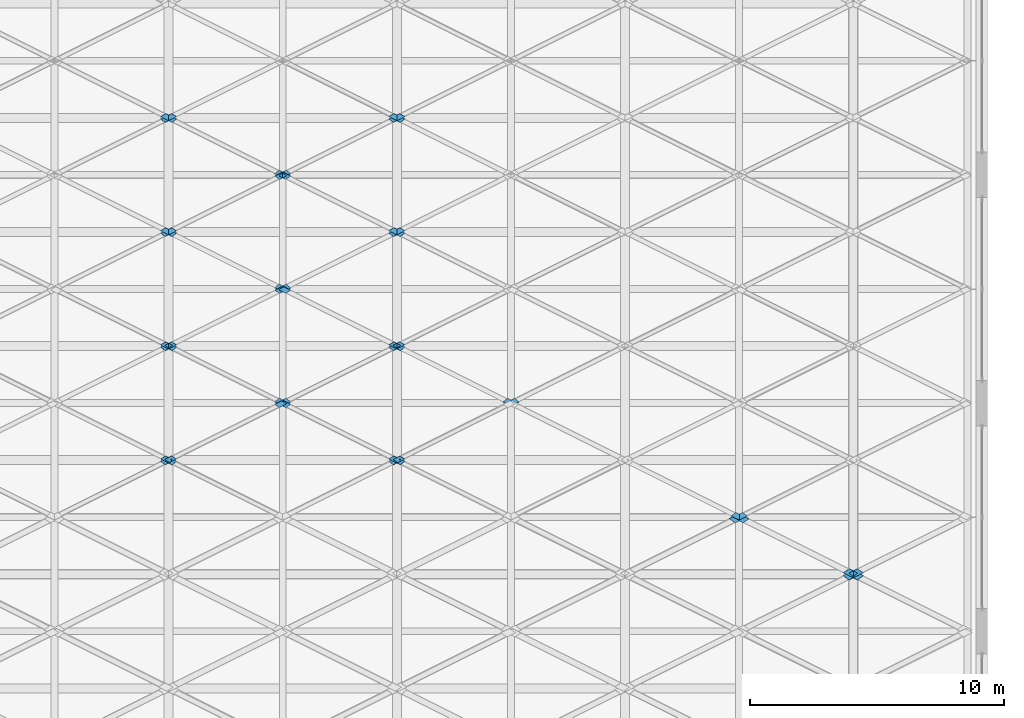
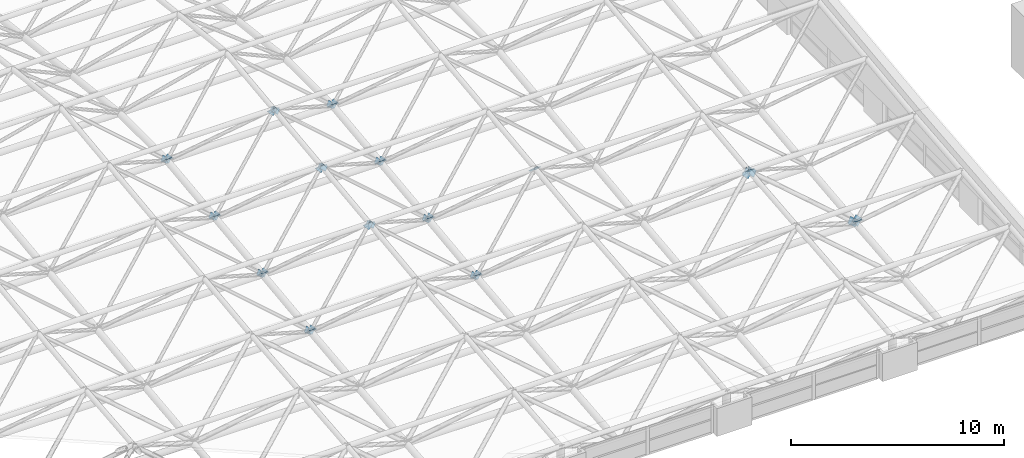
# One storey, part 45 of 53: 54 discrete accessories.
"""IFC4 building model written with IfcOpenShell, lengths in metres."""

from ifc_helpers import new_model, si_unit, direction, frame, origin, place, context, subcontext, project, spatial, polyline, outline, extrude, material, layer, layer_set, type_object, element, save


model = new_model("IFC4")

# Units and contexts
model_context = context("Model", 3, precision=1e-05, world=origin(), true_north=direction((0.0, 1.0)))
body_context = subcontext(model_context, "Body", "Model", "MODEL_VIEW")
ifc_project = project(units=[si_unit("LENGTHUNIT", "METRE"), si_unit("AREAUNIT", "SQUARE_METRE"), si_unit("VOLUMEUNIT", "CUBIC_METRE"), si_unit("PLANEANGLEUNIT", "RADIAN"), si_unit("MASSUNIT", "GRAM", prefix="KILO")], contexts=[model_context])

# Site, building, storey
site_placement = place(None, origin())
site = spatial("IfcSite", under=ifc_project, at=site_placement, CompositionType="ELEMENT")
building_placement = place(site_placement, origin())
building = spatial("IfcBuilding", under=site, at=building_placement, Name="Aravalli Gate Trade Fair Centre", CompositionType="ELEMENT")
storey_placement = place(building_placement, frame((0.0, 0.0, 25.199951171875)))
storey = spatial("IfcBuildingStorey", under=building, at=storey_placement, Name="ROOF LEVEL 2", CompositionType="ELEMENT", Elevation=25.199951171875)

# Discrete accessories
ifc_material = material(Name="Steel E350", Category="steel")
ifc_layer_1 = layer(ifc_material, 0.011962890625)
ifc_layer_set_1 = layer_set([ifc_layer_1], Name="Steel E350")
discrete_accessory_type_1 = type_object("IfcDiscreteAccessoryType", Name="Gusset plate 291 x 291 x 12", PredefinedType="USERDEFINED", material=ifc_layer_set_1)
for number, where, z_axis, x_axis, name in (
    (1, (73.181884765625, 61.713134765625, 0.479248046875), (0.000260921892, 0.770886805608, 0.636972106814), (0.786233024012, 0.393446097564, -0.476484837392), "Gusset plate Space frame web diagonal D2A end B"),
    (2, (82.181884765625, 61.713134765625, 0.479248046875), (0.000260921892, 0.770886805608, 0.636972106814), (0.786233024012, 0.393446097564, -0.476484837392), "Gusset plate Space frame web diagonal D2A end B"),
):
    element("IfcDiscreteAccessory", number, at=place(storey_placement, frame(where, z_axis=z_axis, x_axis=x_axis)), inside=storey, type_object=discrete_accessory_type_1, Name=name, ObjectType="GUSSET PLATE", PredefinedType="USERDEFINED", context=body_context, shape_type="SweptSolid", body=[
        extrude(outline(polyline([(0.0, 0.0), (0.3704496717105797, -1.3877787807814457e-17), (0.37041105616888137, -0.29044341854454775), (-0.00023056696357631745, -0.2902925567125407), (0.0, 0.0)])), origin(), (0.0, 0.0, -1.0), 0.011962890625),
    ])
discrete_accessory_1_placement = place(storey_placement, frame((96.138916015625, 59.691650390625, 2.92724609375), z_axis=(-6.9765199e-05, 0.771154883137, 0.636647580178), x_axis=(-0.786484474244, -0.393242254842, 0.476238071536)))
element("IfcDiscreteAccessory", 3, at=discrete_accessory_1_placement, inside=storey, type_object=discrete_accessory_type_1, Name="Gusset plate Space frame web diagonal D2A end A", ObjectType="GUSSET PLATE", PredefinedType="USERDEFINED", context=body_context, shape_type="SweptSolid", body=[
    extrude(outline(polyline([(0.0, 0.0), (0.37064165383501635, -1.3877787807814457e-17), (0.3706783195979393, 0.29059144692340316), (0.00022867857401766278, 0.2904406632211646), (0.0, 0.0)])), origin(), (0.0, 0.0, -1.0), 0.011962890625),
])
discrete_accessory_2_placement = place(storey_placement, frame((73.181884765625, 66.213134765625, 1.029052734375), z_axis=(-6.9765199e-05, 0.771154883137, 0.636647580178), x_axis=(0.786233023991, 0.393446013556, -0.476484906794)))
element("IfcDiscreteAccessory", 4, at=discrete_accessory_2_placement, inside=storey, type_object=discrete_accessory_type_1, Name="Gusset plate Space frame web diagonal D2A end B", ObjectType="GUSSET PLATE", PredefinedType="USERDEFINED", context=body_context, shape_type="SweptSolid", body=[
    extrude(outline(polyline([(0.0, 0.0), (0.37044967171058096, -2.7755575615628914e-17), (0.3702947268495056, -0.290591407927876), (-0.0003468962829482891, -0.29044054608337494), (0.0, 0.0)])), origin(), (0.0, 0.0, -1.0), 0.011962890625),
])
discrete_accessory_3_placement = place(storey_placement, frame((78.138916015625, 64.191650390625, 3.477294921875), z_axis=(-6.9765199e-05, 0.771154883137, 0.636647580178), x_axis=(-0.786484474244, -0.393242254842, 0.476238071536)))
element("IfcDiscreteAccessory", 5, at=discrete_accessory_3_placement, inside=storey, type_object=discrete_accessory_type_1, Name="Gusset plate Space frame web diagonal D2A end A", ObjectType="GUSSET PLATE", PredefinedType="USERDEFINED", context=body_context, shape_type="SweptSolid", body=[
    extrude(outline(polyline([(0.0, 0.0), (0.37064165383501635, -1.3877787807814457e-17), (0.3706783195979393, 0.29059144692340316), (0.00022867857401766278, 0.2904406632211646), (0.0, 0.0)])), origin(), (0.0, 0.0, -1.0), 0.011962890625),
])
discrete_accessory_4_placement = place(storey_placement, frame((82.181884765625, 66.213134765625, 1.029052734375), z_axis=(-6.9765199e-05, 0.771154883137, 0.636647580178), x_axis=(0.786233023991, 0.393446013556, -0.476484906794)))
element("IfcDiscreteAccessory", 6, at=discrete_accessory_4_placement, inside=storey, type_object=discrete_accessory_type_1, Name="Gusset plate Space frame web diagonal D2A end B", ObjectType="GUSSET PLATE", PredefinedType="USERDEFINED", context=body_context, shape_type="SweptSolid", body=[
    extrude(outline(polyline([(0.0, 0.0), (0.37044967171058096, -2.7755575615628914e-17), (0.3702947268495056, -0.290591407927876), (-0.0003468962829482891, -0.29044054608337494), (0.0, 0.0)])), origin(), (0.0, 0.0, -1.0), 0.011962890625),
])
discrete_accessory_5_placement = place(storey_placement, frame((87.138916015625, 64.191650390625, 3.477294921875), z_axis=(-6.9765199e-05, 0.771154883137, 0.636647580178), x_axis=(-0.786484474244, -0.393242254842, 0.476238071536)))
element("IfcDiscreteAccessory", 7, at=discrete_accessory_5_placement, inside=storey, type_object=discrete_accessory_type_1, Name="Gusset plate Space frame web diagonal D2A end A", ObjectType="GUSSET PLATE", PredefinedType="USERDEFINED", context=body_context, shape_type="SweptSolid", body=[
    extrude(outline(polyline([(0.0, 0.0), (0.37064165383501635, -1.3877787807814457e-17), (0.3706783195979393, 0.29059144692340316), (0.00022867857401766278, 0.2904406632211646), (0.0, 0.0)])), origin(), (0.0, 0.0, -1.0), 0.011962890625),
])
for number, where, z_axis, x_axis, name in (
    (8, (73.638916015625, 61.567626953125, 0.6552734375), (-0.000260921892, 0.770886805608, 0.636972106814), (-0.786484474223, 0.393242170877, -0.476238140902), "Gusset plate Space frame web diagonal D2B end B"),
    (9, (82.638916015625, 61.567626953125, 0.6552734375), (-0.000260921892, 0.770886805608, 0.636972106814), (-0.786484474223, 0.393242170877, -0.476238140902), "Gusset plate Space frame web diagonal D2B end B"),
):
    element("IfcDiscreteAccessory", number, at=place(storey_placement, frame(where, z_axis=z_axis, x_axis=x_axis)), inside=storey, type_object=discrete_accessory_type_1, Name=name, ObjectType="GUSSET PLATE", PredefinedType="USERDEFINED", context=body_context, shape_type="SweptSolid", body=[
        extrude(outline(polyline([(0.0, 0.0), (0.37064165383501513, 1.3877787807814457e-17), (0.37056205053393565, -0.29044341020294784), (0.00011240951001027788, -0.2902926265131968), (0.0, 0.0)])), origin(), (0.0, 0.0, -1.0), 0.011962890625),
    ])
for number, where, z_axis, x_axis, name in (
    (10, (95.681884765625, 59.546142578125, 3.103515625), (6.9765199e-05, 0.771154883137, 0.636647580178), (0.786233023991, -0.393446013556, 0.476484906794), "Gusset plate Space frame web diagonal D2B end A"),
    (11, (77.681884765625, 64.046142578125, 3.653564453125), (6.9765199e-05, 0.771154883137, 0.636647580178), (0.786233023991, -0.393446013556, 0.476484906794), "Gusset plate Space frame web diagonal D2B end A"),
):
    element("IfcDiscreteAccessory", number, at=place(storey_placement, frame(where, z_axis=z_axis, x_axis=x_axis)), inside=storey, type_object=discrete_accessory_type_1, Name=name, ObjectType="GUSSET PLATE", PredefinedType="USERDEFINED", context=body_context, shape_type="SweptSolid", body=[
        extrude(outline(polyline([(0.0, 0.0), (0.37044967171058096, 2.7755575615628914e-17), (0.3702947268495056, 0.290591407927876), (-0.0003468962829482891, 0.29044054608337494), (0.0, 0.0)])), origin(), (0.0, 0.0, -1.0), 0.011962890625),
    ])
discrete_accessory_6_placement = place(storey_placement, frame((73.638916015625, 66.067626953125, 1.205322265625), z_axis=(6.9765199e-05, 0.771154883137, 0.636647580178), x_axis=(-0.786484474244, 0.393242254842, -0.476238071536)))
element("IfcDiscreteAccessory", 12, at=discrete_accessory_6_placement, inside=storey, type_object=discrete_accessory_type_1, Name="Gusset plate Space frame web diagonal D2B end B", ObjectType="GUSSET PLATE", PredefinedType="USERDEFINED", context=body_context, shape_type="SweptSolid", body=[
    extrude(outline(polyline([(0.0, 0.0), (0.37064165383501635, 1.3877787807814457e-17), (0.3706783195979393, -0.29059144692340316), (0.00022867857401766278, -0.2904406632211646), (0.0, 0.0)])), origin(), (0.0, 0.0, -1.0), 0.011962890625),
])
discrete_accessory_7_placement = place(storey_placement, frame((86.681884765625, 64.046142578125, 3.653564453125), z_axis=(6.9765199e-05, 0.771154883137, 0.636647580178), x_axis=(0.786233023991, -0.393446013556, 0.476484906794)))
element("IfcDiscreteAccessory", 13, at=discrete_accessory_7_placement, inside=storey, type_object=discrete_accessory_type_1, Name="Gusset plate Space frame web diagonal D2B end A", ObjectType="GUSSET PLATE", PredefinedType="USERDEFINED", context=body_context, shape_type="SweptSolid", body=[
    extrude(outline(polyline([(0.0, 0.0), (0.37044967171058096, 2.7755575615628914e-17), (0.3702947268495056, 0.290591407927876), (-0.0003468962829482891, 0.29044054608337494), (0.0, 0.0)])), origin(), (0.0, 0.0, -1.0), 0.011962890625),
])
discrete_accessory_8_placement = place(storey_placement, frame((82.638916015625, 66.067626953125, 1.205322265625), z_axis=(6.9765199e-05, 0.771154883137, 0.636647580178), x_axis=(-0.786484474244, 0.393242254842, -0.476238071536)))
element("IfcDiscreteAccessory", 14, at=discrete_accessory_8_placement, inside=storey, type_object=discrete_accessory_type_1, Name="Gusset plate Space frame web diagonal D2B end B", ObjectType="GUSSET PLATE", PredefinedType="USERDEFINED", context=body_context, shape_type="SweptSolid", body=[
    extrude(outline(polyline([(0.0, 0.0), (0.37064165383501635, 1.3877787807814457e-17), (0.3706783195979393, -0.29059144692340316), (0.00022867857401766278, -0.2904406632211646), (0.0, 0.0)])), origin(), (0.0, 0.0, -1.0), 0.011962890625),
])
discrete_accessory_9_placement = place(storey_placement, frame((73.18603515625, 61.792236328125, 0.4970703125), z_axis=(-0.000338926475, -0.824215745649, 0.566275807141), x_axis=(0.749929468437, -0.374811008577, -0.545089442403)))
element("IfcDiscreteAccessory", 15, at=discrete_accessory_9_placement, inside=storey, type_object=discrete_accessory_type_1, Name="Gusset plate Space frame web diagonal D2C end B", ObjectType="GUSSET PLATE", PredefinedType="USERDEFINED", context=body_context, shape_type="SweptSolid", body=[
    extrude(outline(polyline([(0.0, 0.0), (0.3704775800363668, 1.3877787807814457e-17), (0.37054452148215117, 0.29037536695413646), (0.00011695121776518491, 0.29068780553250784), (0.0, 0.0)])), origin(), (0.0, 0.0, -1.0), 0.011962890625),
])
discrete_accessory_10_placement = place(storey_placement, frame((78.12158203125, 63.824462890625, 3.455078125), z_axis=(-5.9235462e-05, -0.824355565608, 0.566072343383), x_axis=(-0.74910175115, 0.37503400761, 0.546073309694)))
element("IfcDiscreteAccessory", 16, at=discrete_accessory_10_placement, inside=storey, type_object=discrete_accessory_type_1, Name="Gusset plate Space frame web diagonal D2C end A", ObjectType="GUSSET PLATE", PredefinedType="USERDEFINED", context=body_context, shape_type="SweptSolid", body=[
    extrude(outline(polyline([(0.0, 0.0), (0.37056099002046733, -1.3877787807814457e-17), (0.3708571273038952, -0.29037522366126584), (0.00024656979283793623, -0.29068772448272373), (0.0, 0.0)])), origin(), (0.0, 0.0, -1.0), 0.011962890625),
])
discrete_accessory_11_placement = place(storey_placement, frame((82.18603515625, 61.792236328125, 0.4970703125), z_axis=(-0.000338926475, -0.824215745649, 0.566275807141), x_axis=(0.749929468437, -0.374811008577, -0.545089442403)))
element("IfcDiscreteAccessory", 17, at=discrete_accessory_11_placement, inside=storey, type_object=discrete_accessory_type_1, Name="Gusset plate Space frame web diagonal D2C end B", ObjectType="GUSSET PLATE", PredefinedType="USERDEFINED", context=body_context, shape_type="SweptSolid", body=[
    extrude(outline(polyline([(0.0, 0.0), (0.3704775800363668, 1.3877787807814457e-17), (0.37054452148215117, 0.29037536695413646), (0.00011695121776518491, 0.29068780553250784), (0.0, 0.0)])), origin(), (0.0, 0.0, -1.0), 0.011962890625),
])
discrete_accessory_12_placement = place(storey_placement, frame((73.18603515625, 66.292236328125, 1.047119140625), z_axis=(-0.000356491483, -0.824386555112, 0.566027102411), x_axis=(0.749660046124, -0.374830119882, -0.545446786108)))
element("IfcDiscreteAccessory", 18, at=discrete_accessory_12_placement, inside=storey, type_object=discrete_accessory_type_1, Name="Gusset plate Space frame web diagonal D2C end B", ObjectType="GUSSET PLATE", PredefinedType="USERDEFINED", context=body_context, shape_type="SweptSolid", body=[
    extrude(outline(polyline([(0.0, 0.0), (0.37061069570280314, 0.0), (0.3704262257769532, 0.2905262593825685), (-1.4474536517566916e-06, 0.29068783726431885), (0.0, 0.0)])), origin(), (0.0, 0.0, -1.0), 0.011962890625),
])
discrete_accessory_13_placement = place(storey_placement, frame((78.12158203125, 68.324462890625, 4.005126953125), z_axis=(-5.9235462e-05, -0.824355565608, 0.566072343383), x_axis=(-0.74937131646, 0.374861397834, 0.545821914622)))
element("IfcDiscreteAccessory", 19, at=discrete_accessory_13_placement, inside=storey, type_object=discrete_accessory_type_1, Name="Gusset plate Space frame web diagonal D2C end A", ObjectType="GUSSET PLATE", PredefinedType="USERDEFINED", context=body_context, shape_type="SweptSolid", body=[
    extrude(outline(polyline([(0.0, 0.0), (0.3704277020236978, 0.0), (0.37073891027907924, -0.290526143046557), (-5.001029550574798e-06, -0.29053697785674903), (0.0, 0.0)])), origin(), (0.0, 0.0, -1.0), 0.011962890625),
])
discrete_accessory_14_placement = place(storey_placement, frame((82.18603515625, 66.292236328125, 1.047119140625), z_axis=(-0.000356491483, -0.824386555112, 0.566027102411), x_axis=(0.749660046124, -0.374830119882, -0.545446786108)))
element("IfcDiscreteAccessory", 20, at=discrete_accessory_14_placement, inside=storey, type_object=discrete_accessory_type_1, Name="Gusset plate Space frame web diagonal D2C end B", ObjectType="GUSSET PLATE", PredefinedType="USERDEFINED", context=body_context, shape_type="SweptSolid", body=[
    extrude(outline(polyline([(0.0, 0.0), (0.37061069570280314, 0.0), (0.3704262257769532, 0.2905262593825685), (-1.4474536517566916e-06, 0.29068783726431885), (0.0, 0.0)])), origin(), (0.0, 0.0, -1.0), 0.011962890625),
])
discrete_accessory_15_placement = place(storey_placement, frame((77.68603515625, 63.94775390625, 3.634765625), z_axis=(5.9235462e-05, -0.824355565608, 0.566072343383), x_axis=(0.749660070237, 0.374676343996, 0.545552395598)))
element("IfcDiscreteAccessory", 21, at=discrete_accessory_15_placement, inside=storey, type_object=discrete_accessory_type_1, Name="Gusset plate Space frame web diagonal D2D end A", ObjectType="GUSSET PLATE", PredefinedType="USERDEFINED", context=body_context, shape_type="SweptSolid", body=[
    extrude(outline(polyline([(0.0, 0.0), (0.3706106892622231, -1.3877787807814457e-17), (0.3705593979521325, -0.2903753701380719), (-1.4603348369723879e-06, -0.29068782905287593), (0.0, 0.0)])), origin(), (0.0, 0.0, -1.0), 0.011962890625),
])
for number, where, z_axis, x_axis, name in (
    (22, (73.62158203125, 61.91552734375, 0.6767578125), (0.000338926475, -0.824215745649, 0.566275807141), (-0.74937124219, -0.375168906268, -0.545610697428), "Gusset plate Space frame web diagonal D2D end B"),
    (23, (82.62158203125, 61.91552734375, 0.6767578125), (0.000338926475, -0.824215745649, 0.566275807141), (-0.74937124219, -0.375168906268, -0.545610697428), "Gusset plate Space frame web diagonal D2D end B"),
):
    element("IfcDiscreteAccessory", number, at=place(storey_placement, frame(where, z_axis=z_axis, x_axis=x_axis)), inside=storey, type_object=discrete_accessory_type_1, Name=name, ObjectType="GUSSET PLATE", PredefinedType="USERDEFINED", context=body_context, shape_type="SweptSolid", body=[
        extrude(outline(polyline([(0.0, 0.0), (0.3704277020281311, 2.7755575615628914e-17), (0.37060567875441897, 0.29037532012757467), (0.00012823049953920862, 0.29068780077573153), (0.0, 0.0)])), origin(), (0.0, 0.0, -1.0), 0.011962890625),
    ])
discrete_accessory_16_placement = place(storey_placement, frame((77.68603515625, 68.44775390625, 4.1845703125), z_axis=(5.9235462e-05, -0.824355565608, 0.566072343383), x_axis=(0.749390667151, 0.374849001628, 0.545803860343)))
element("IfcDiscreteAccessory", 24, at=discrete_accessory_16_placement, inside=storey, type_object=discrete_accessory_type_1, Name="Gusset plate Space frame web diagonal D2D end A", ObjectType="GUSSET PLATE", PredefinedType="USERDEFINED", context=body_context, shape_type="SweptSolid", body=[
    extrude(outline(polyline([(0.0, 0.0), (0.37074391146695085, 0.0), (0.3704411936966931, -0.2905261520174016), (1.3491831181253189e-05, -0.2905369775865267), (0.0, 0.0)])), origin(), (0.0, 0.0, -1.0), 0.011962890625),
])
for number, where, z_axis, x_axis, name in (
    (25, (73.62158203125, 66.41552734375, 1.226806640625), (0.000356491483, -0.824386555112, 0.566027102411), (-0.749371292409, -0.375015088164, -0.54571636384), "Gusset plate Space frame web diagonal D2D end B"),
    (26, (82.62158203125, 66.41552734375, 1.226806640625), (0.000356491483, -0.824386555112, 0.566027102411), (-0.749371292409, -0.375015088164, -0.54571636384), "Gusset plate Space frame web diagonal D2D end B"),
):
    element("IfcDiscreteAccessory", number, at=place(storey_placement, frame(where, z_axis=z_axis, x_axis=x_axis)), inside=storey, type_object=discrete_accessory_type_1, Name=name, ObjectType="GUSSET PLATE", PredefinedType="USERDEFINED", context=body_context, shape_type="SweptSolid", body=[
        extrude(outline(polyline([(0.0, 0.0), (0.3704277084701571, 1.3877787807814457e-17), (0.3707389038272042, 0.29052615127976134), (0.00012824338136119273, 0.2906878089792164), (0.0, 0.0)])), origin(), (0.0, 0.0, -1.0), 0.011962890625),
    ])
discrete_accessory_17_placement = place(storey_placement, frame((73.181884765625, 70.713134765625, 1.574462890625), z_axis=(0.000589123978, 0.771792295466, 0.635874441689), x_axis=(0.785942550469, 0.392803472142, -0.477493182816)))
element("IfcDiscreteAccessory", 27, at=discrete_accessory_17_placement, inside=storey, type_object=discrete_accessory_type_1, Name="Gusset plate Space frame web diagonal D3A end B", ObjectType="GUSSET PLATE", PredefinedType="USERDEFINED", context=body_context, shape_type="SweptSolid", body=[
    extrude(outline(polyline([(0.0, 0.0), (0.3705866429803553, -2.7755575615628914e-17), (0.37039124031354775, -0.29046920151748473), (-7.882718272163303e-05, -0.29032116611826925), (0.0, 0.0)])), origin(), (0.0, 0.0, -1.0), 0.011962890625),
])
discrete_accessory_18_placement = place(storey_placement, frame((78.138671875, 68.69140625, 4.027099609375), z_axis=(0.000259688153, 0.77158167438, 0.636130216483), x_axis=(-0.786189750281, -0.392961505637, 0.476955901148)))
element("IfcDiscreteAccessory", 28, at=discrete_accessory_18_placement, inside=storey, type_object=discrete_accessory_type_1, Name="Gusset plate Space frame web diagonal D3A end A", ObjectType="GUSSET PLATE", PredefinedType="USERDEFINED", context=body_context, shape_type="SweptSolid", body=[
    extrude(outline(polyline([(0.0, 0.0), (0.37047009323158403, -1.3877787807814457e-17), (0.3706453255393415, 0.29059138113822636), (7.929444017017173e-05, 0.29046925152010133), (0.0, 0.0)])), origin(), (0.0, 0.0, -1.0), 0.011962890625),
])
discrete_accessory_19_placement = place(storey_placement, frame((82.181884765625, 70.713134765625, 1.574462890625), z_axis=(0.000589123978, 0.771792295466, 0.635874441689), x_axis=(0.785942550469, 0.392803472142, -0.477493182816)))
element("IfcDiscreteAccessory", 29, at=discrete_accessory_19_placement, inside=storey, type_object=discrete_accessory_type_1, Name="Gusset plate Space frame web diagonal D3A end B", ObjectType="GUSSET PLATE", PredefinedType="USERDEFINED", context=body_context, shape_type="SweptSolid", body=[
    extrude(outline(polyline([(0.0, 0.0), (0.3705866429803553, -2.7755575615628914e-17), (0.37039124031354775, -0.29046920151748473), (-7.882718272163303e-05, -0.29032116611826925), (0.0, 0.0)])), origin(), (0.0, 0.0, -1.0), 0.011962890625),
])
discrete_accessory_20_placement = place(storey_placement, frame((73.181884765625, 75.213134765625, 2.1142578125), z_axis=(0.000259222443, 0.771843687699, 0.635812279342), x_axis=(0.78618965885, 0.392765328311, -0.477117613586)))
element("IfcDiscreteAccessory", 30, at=discrete_accessory_20_placement, inside=storey, type_object=discrete_accessory_type_1, Name="Gusset plate Space frame web diagonal D3A end B", ObjectType="GUSSET PLATE", PredefinedType="USERDEFINED", context=body_context, shape_type="SweptSolid", body=[
    extrude(outline(polyline([(0.0, 0.0), (0.3704701052045229, -2.7755575615628914e-17), (0.3703907868210381, -0.2904692667840814), (-7.931838348480824e-05, -0.2904692667840814), (0.0, 0.0)])), origin(), (0.0, 0.0, -1.0), 0.011962890625),
])
discrete_accessory_21_placement = place(storey_placement, frame((78.138671875, 73.19140625, 4.567138671875), z_axis=(0.000259688153, 0.77158167438, 0.636130216483), x_axis=(-0.786189750281, -0.392961505637, 0.476955901148)))
element("IfcDiscreteAccessory", 31, at=discrete_accessory_21_placement, inside=storey, type_object=discrete_accessory_type_1, Name="Gusset plate Space frame web diagonal D3A end A", ObjectType="GUSSET PLATE", PredefinedType="USERDEFINED", context=body_context, shape_type="SweptSolid", body=[
    extrude(outline(polyline([(0.0, 0.0), (0.37047009323158403, -1.3877787807814457e-17), (0.3706453255393415, 0.29059138113822636), (7.929444017017173e-05, 0.29046925152010133), (0.0, 0.0)])), origin(), (0.0, 0.0, -1.0), 0.011962890625),
])
discrete_accessory_22_placement = place(storey_placement, frame((82.181884765625, 75.213134765625, 2.1142578125), z_axis=(0.000259222443, 0.771843687699, 0.635812279342), x_axis=(0.78618965885, 0.392765328311, -0.477117613586)))
element("IfcDiscreteAccessory", 32, at=discrete_accessory_22_placement, inside=storey, type_object=discrete_accessory_type_1, Name="Gusset plate Space frame web diagonal D3A end B", ObjectType="GUSSET PLATE", PredefinedType="USERDEFINED", context=body_context, shape_type="SweptSolid", body=[
    extrude(outline(polyline([(0.0, 0.0), (0.3704701052045229, -2.7755575615628914e-17), (0.3703907868210381, -0.2904692667840814), (-7.931838348480824e-05, -0.2904692667840814), (0.0, 0.0)])), origin(), (0.0, 0.0, -1.0), 0.011962890625),
])
discrete_accessory_23_placement = place(storey_placement, frame((77.681884765625, 68.546142578125, 4.203369140625), z_axis=(-0.000259688153, 0.77158167438, 0.636130216483), x_axis=(0.785986034617, -0.393126352276, 0.477155765483)))
element("IfcDiscreteAccessory", 33, at=discrete_accessory_23_placement, inside=storey, type_object=discrete_accessory_type_1, Name="Gusset plate Space frame web diagonal D3B end A", ObjectType="GUSSET PLATE", PredefinedType="USERDEFINED", context=body_context, shape_type="SweptSolid", body=[
    extrude(outline(polyline([(0.0, 0.0), (0.3705660512246577, 1.3877787807814457e-17), (0.3702950470274762, 0.2905913076038385), (-0.0001750260838329909, 0.2904692096111498), (0.0, 0.0)])), origin(), (0.0, 0.0, -1.0), 0.011962890625),
])
for number, where, z_axis, x_axis, name in (
    (34, (73.638671875, 70.56787109375, 1.75048828125), (-0.000589123978, 0.771792295466, 0.635874441689), (-0.786189552673, 0.392603629975, -0.477250853324), "Gusset plate Space frame web diagonal D3B end B"),
    (35, (82.638671875, 70.56787109375, 1.75048828125), (-0.000589123978, 0.771792295466, 0.635874441689), (-0.786189552673, 0.392603629975, -0.477250853324), "Gusset plate Space frame web diagonal D3B end B"),
):
    element("IfcDiscreteAccessory", number, at=place(storey_placement, frame(where, z_axis=z_axis, x_axis=x_axis)), inside=storey, type_object=discrete_accessory_type_1, Name=name, ObjectType="GUSSET PLATE", PredefinedType="USERDEFINED", context=body_context, shape_type="SweptSolid", body=[
        extrude(outline(polyline([(0.0, 0.0), (0.3704700970728539, 1.3877787807814457e-17), (0.37054943172141785, -0.29046925640835186), (-3.7181673048419794e-05, -0.2903211744387922), (0.0, 0.0)])), origin(), (0.0, 0.0, -1.0), 0.011962890625),
    ])
discrete_accessory_24_placement = place(storey_placement, frame((77.681884765625, 73.046142578125, 4.743408203125), z_axis=(-0.000259688153, 0.77158167438, 0.636130216483), x_axis=(0.785986034617, -0.393126352276, 0.477155765483)))
element("IfcDiscreteAccessory", 36, at=discrete_accessory_24_placement, inside=storey, type_object=discrete_accessory_type_1, Name="Gusset plate Space frame web diagonal D3B end A", ObjectType="GUSSET PLATE", PredefinedType="USERDEFINED", context=body_context, shape_type="SweptSolid", body=[
    extrude(outline(polyline([(0.0, 0.0), (0.3705660512246577, 1.3877787807814457e-17), (0.3702950470274762, 0.2905913076038385), (-0.0001750260838329909, 0.2904692096111498), (0.0, 0.0)])), origin(), (0.0, 0.0, -1.0), 0.011962890625),
])
for number, where, z_axis, x_axis, name in (
    (37, (73.638671875, 75.06787109375, 2.29052734375), (-0.000259222443, 0.771843687699, 0.635812279342), (-0.78618965885, 0.392765328311, -0.477117613586), "Gusset plate Space frame web diagonal D3B end B"),
    (38, (82.638671875, 75.06787109375, 2.29052734375), (-0.000259222443, 0.771843687699, 0.635812279342), (-0.78618965885, 0.392765328311, -0.477117613586), "Gusset plate Space frame web diagonal D3B end B"),
):
    element("IfcDiscreteAccessory", number, at=place(storey_placement, frame(where, z_axis=z_axis, x_axis=x_axis)), inside=storey, type_object=discrete_accessory_type_1, Name=name, ObjectType="GUSSET PLATE", PredefinedType="USERDEFINED", context=body_context, shape_type="SweptSolid", body=[
        extrude(outline(polyline([(0.0, 0.0), (0.3704701052045229, 2.7755575615628914e-17), (0.3705494235880077, -0.29046926678408136), (7.931838348480824e-05, -0.2904692667840814), (0.0, 0.0)])), origin(), (0.0, 0.0, -1.0), 0.011962890625),
    ])
discrete_accessory_25_placement = place(storey_placement, frame((73.18603515625, 70.792236328125, 1.592041015625), z_axis=(0.000136804439, -0.823750482353, 0.566952488404), x_axis=(0.749929392198, -0.374964696099, -0.54498383774)))
element("IfcDiscreteAccessory", 39, at=discrete_accessory_25_placement, inside=storey, type_object=discrete_accessory_type_1, Name="Gusset plate Space frame web diagonal D3C end B", ObjectType="GUSSET PLATE", PredefinedType="USERDEFINED", context=body_context, shape_type="SweptSolid", body=[
    extrude(outline(polyline([(0.0, 0.0), (0.37047758647752815, -1.3877787807814457e-17), (0.37045297092456764, 0.2904791260615137), (-2.461555296055795e-05, 0.2904791260615137), (0.0, 0.0)])), origin(), (0.0, 0.0, -1.0), 0.011962890625),
])
discrete_accessory_26_placement = place(storey_placement, frame((78.121826171875, 72.824462890625, 4.54541015625), z_axis=(0.000136804439, -0.823750482353, 0.566952488404), x_axis=(-0.749929392198, 0.374964696099, 0.54498383774)))
element("IfcDiscreteAccessory", 40, at=discrete_accessory_26_placement, inside=storey, type_object=discrete_accessory_type_1, Name="Gusset plate Space frame web diagonal D3C end A", ObjectType="GUSSET PLATE", PredefinedType="USERDEFINED", context=body_context, shape_type="SweptSolid", body=[
    extrude(outline(polyline([(0.0, 0.0), (0.37047758647752815, -1.3877787807814457e-17), (0.37050220203048867, -0.2904791260615137), (2.461555296055795e-05, -0.2904791260615137), (0.0, 0.0)])), origin(), (0.0, 0.0, -1.0), 0.011962890625),
])
for number, where, z_axis, x_axis, name in (
    (41, (82.18603515625, 70.792236328125, 1.592041015625), (0.000136804439, -0.823750482353, 0.566952488404), (0.749929392198, -0.374964696099, -0.54498383774), "Gusset plate Space frame web diagonal D3C end B"),
    (42, (73.18603515625, 75.292236328125, 2.132080078125), (0.000136804439, -0.823750482353, 0.566952488404), (0.749929392198, -0.374964696099, -0.54498383774), "Gusset plate Space frame web diagonal D3C end B"),
    (43, (82.18603515625, 75.292236328125, 2.132080078125), (0.000136804439, -0.823750482353, 0.566952488404), (0.749929392198, -0.374964696099, -0.54498383774), "Gusset plate Space frame web diagonal D3C end B"),
):
    element("IfcDiscreteAccessory", number, at=place(storey_placement, frame(where, z_axis=z_axis, x_axis=x_axis)), inside=storey, type_object=discrete_accessory_type_1, Name=name, ObjectType="GUSSET PLATE", PredefinedType="USERDEFINED", context=body_context, shape_type="SweptSolid", body=[
        extrude(outline(polyline([(0.0, 0.0), (0.37047758647752815, -1.3877787807814457e-17), (0.37045297092456764, 0.2904791260615137), (-2.461555296055795e-05, 0.2904791260615137), (0.0, 0.0)])), origin(), (0.0, 0.0, -1.0), 0.011962890625),
    ])
discrete_accessory_27_placement = place(storey_placement, frame((77.68603515625, 72.947998046875, 4.724853515625), z_axis=(-0.000136804439, -0.823750482353, 0.566952488404), x_axis=(0.749929392198, 0.374964696099, 0.54498383774)))
element("IfcDiscreteAccessory", 44, at=discrete_accessory_27_placement, inside=storey, type_object=discrete_accessory_type_1, Name="Gusset plate Space frame web diagonal D3D end A", ObjectType="GUSSET PLATE", PredefinedType="USERDEFINED", context=body_context, shape_type="SweptSolid", body=[
    extrude(outline(polyline([(0.0, 0.0), (0.37047758647752815, 1.3877787807814457e-17), (0.37045297092456764, -0.2904791260615137), (-2.461555296055795e-05, -0.2904791260615137), (0.0, 0.0)])), origin(), (0.0, 0.0, -1.0), 0.011962890625),
])
for number, where, z_axis, x_axis, name in (
    (45, (73.621826171875, 70.915771484375, 1.771484375), (-0.000136804439, -0.823750482353, 0.566952488404), (-0.749929392198, -0.374964696099, -0.54498383774), "Gusset plate Space frame web diagonal D3D end B"),
    (46, (82.621826171875, 70.915771484375, 1.771484375), (-0.000136804439, -0.823750482353, 0.566952488404), (-0.749929392198, -0.374964696099, -0.54498383774), "Gusset plate Space frame web diagonal D3D end B"),
    (47, (73.621826171875, 75.415771484375, 2.3115234375), (-0.000136804439, -0.823750482353, 0.566952488404), (-0.749929392198, -0.374964696099, -0.54498383774), "Gusset plate Space frame web diagonal D3D end B"),
    (48, (82.621826171875, 75.415771484375, 2.3115234375), (-0.000136804439, -0.823750482353, 0.566952488404), (-0.749929392198, -0.374964696099, -0.54498383774), "Gusset plate Space frame web diagonal D3D end B"),
):
    element("IfcDiscreteAccessory", number, at=place(storey_placement, frame(where, z_axis=z_axis, x_axis=x_axis)), inside=storey, type_object=discrete_accessory_type_1, Name=name, ObjectType="GUSSET PLATE", PredefinedType="USERDEFINED", context=body_context, shape_type="SweptSolid", body=[
        extrude(outline(polyline([(0.0, 0.0), (0.37047758647752815, 1.3877787807814457e-17), (0.37050220203048867, 0.2904791260615137), (2.461555296055795e-05, 0.2904791260615137), (0.0, 0.0)])), origin(), (0.0, 0.0, -1.0), 0.011962890625),
    ])
ifc_layer_2 = layer(ifc_material, 0.011962890625)
ifc_layer_set_2 = layer_set([ifc_layer_2], Name="Steel E350")
discrete_accessory_type_2 = type_object("IfcDiscreteAccessoryType", Name="Gusset plate 367 x 367 x 12", PredefinedType="USERDEFINED", material=ifc_layer_set_2)
discrete_accessory_28_placement = place(storey_placement, frame((100.0986328125, 57.201416015625, -0.005615234375), z_axis=(-0.000106895173, 0.77673595722, 0.629826358082), x_axis=(0.783044443413, 0.391795440284, -0.483050445204)))
element("IfcDiscreteAccessory", 49, at=discrete_accessory_28_placement, inside=storey, type_object=discrete_accessory_type_2, Name="Gusset plate Space frame web diagonal D1A end B", ObjectType="GUSSET PLATE", PredefinedType="USERDEFINED", context=body_context, shape_type="SweptSolid", body=[
    extrude(outline(polyline([(0.0, 0.0), (0.4467862821424865, 0.0), (0.4468639253124893, -0.3669184164565776), (7.764317000273635e-05, -0.36691841645657763), (0.0, 0.0)])), origin(), (0.0, 0.0, -1.0), 0.011962890625),
])
discrete_accessory_29_placement = place(storey_placement, frame((100.673095703125, 57.0205078125, 0.217529296875), z_axis=(0.000106895173, 0.77673595722, 0.629826358082), x_axis=(-0.783044443413, 0.391795440284, -0.483050445204)))
element("IfcDiscreteAccessory", 50, at=discrete_accessory_29_placement, inside=storey, type_object=discrete_accessory_type_2, Name="Gusset plate Space frame web diagonal D1B end B", ObjectType="GUSSET PLATE", PredefinedType="USERDEFINED", context=body_context, shape_type="SweptSolid", body=[
    extrude(outline(polyline([(0.0, 0.0), (0.4467862821424865, 0.0), (0.4467086389724838, -0.36691841645657763), (-7.764317000273635e-05, -0.36691841645657763), (0.0, 0.0)])), origin(), (0.0, 0.0, -1.0), 0.011962890625),
])
discrete_accessory_30_placement = place(storey_placement, frame((96.155517578125, 59.278076171875, 2.84228515625), z_axis=(-5.6748583e-05, -0.820281851296, 0.571959510117), x_axis=(-0.752910033129, 0.376455016564, 0.539822287904)))
element("IfcDiscreteAccessory", 51, at=discrete_accessory_30_placement, inside=storey, type_object=discrete_accessory_type_2, Name="Gusset plate Space frame web diagonal D1C end A", ObjectType="GUSSET PLATE", PredefinedType="USERDEFINED", context=body_context, shape_type="SweptSolid", body=[
    extrude(outline(polyline([(0.0, 0.0), (0.44683397278152426, 2.7755575615628914e-17), (0.44699177701993154, -0.3666937395408909), (0.0001578042384072914, -0.3666937395408909), (0.0, 0.0)])), origin(), (0.0, 0.0, -1.0), 0.011962890625),
])
discrete_accessory_31_placement = place(storey_placement, frame((100.103271484375, 57.30419921875, 0.01318359375), z_axis=(-5.6748583e-05, -0.820281851296, 0.571959510117), x_axis=(0.752910033129, -0.376455016564, -0.539822287904)))
element("IfcDiscreteAccessory", 52, at=discrete_accessory_31_placement, inside=storey, type_object=discrete_accessory_type_2, Name="Gusset plate Space frame web diagonal D1C end B", ObjectType="GUSSET PLATE", PredefinedType="USERDEFINED", context=body_context, shape_type="SweptSolid", body=[
    extrude(outline(polyline([(0.0, 0.0), (0.44683397278152426, 2.7755575615628914e-17), (0.446676168543117, 0.36669373954089096), (-0.0001578042384072914, 0.3666937395408909), (0.0, 0.0)])), origin(), (0.0, 0.0, -1.0), 0.011962890625),
])
discrete_accessory_32_placement = place(storey_placement, frame((95.603271484375, 59.43603515625, 3.06884765625), z_axis=(5.6748583e-05, -0.820281851296, 0.571959510117), x_axis=(0.752910033129, 0.376455016564, 0.539822287904)))
element("IfcDiscreteAccessory", 53, at=discrete_accessory_32_placement, inside=storey, type_object=discrete_accessory_type_2, Name="Gusset plate Space frame web diagonal D1D end A", ObjectType="GUSSET PLATE", PredefinedType="USERDEFINED", context=body_context, shape_type="SweptSolid", body=[
    extrude(outline(polyline([(0.0, 0.0), (0.44683397278152426, -2.7755575615628914e-17), (0.446676168543117, -0.36669373954089096), (-0.0001578042384072914, -0.3666937395408909), (0.0, 0.0)])), origin(), (0.0, 0.0, -1.0), 0.011962890625),
])
discrete_accessory_33_placement = place(storey_placement, frame((100.655517578125, 57.462158203125, 0.23974609375), z_axis=(5.6748583e-05, -0.820281851296, 0.571959510117), x_axis=(-0.752910033129, -0.376455016564, -0.539822287904)))
element("IfcDiscreteAccessory", 54, at=discrete_accessory_33_placement, inside=storey, type_object=discrete_accessory_type_2, Name="Gusset plate Space frame web diagonal D1D end B", ObjectType="GUSSET PLATE", PredefinedType="USERDEFINED", context=body_context, shape_type="SweptSolid", body=[
    extrude(outline(polyline([(0.0, 0.0), (0.44683397278152426, -2.7755575615628914e-17), (0.44699177701993154, 0.3666937395408909), (0.0001578042384072914, 0.3666937395408909), (0.0, 0.0)])), origin(), (0.0, 0.0, -1.0), 0.011962890625),
])

save(model, "model.ifc")
